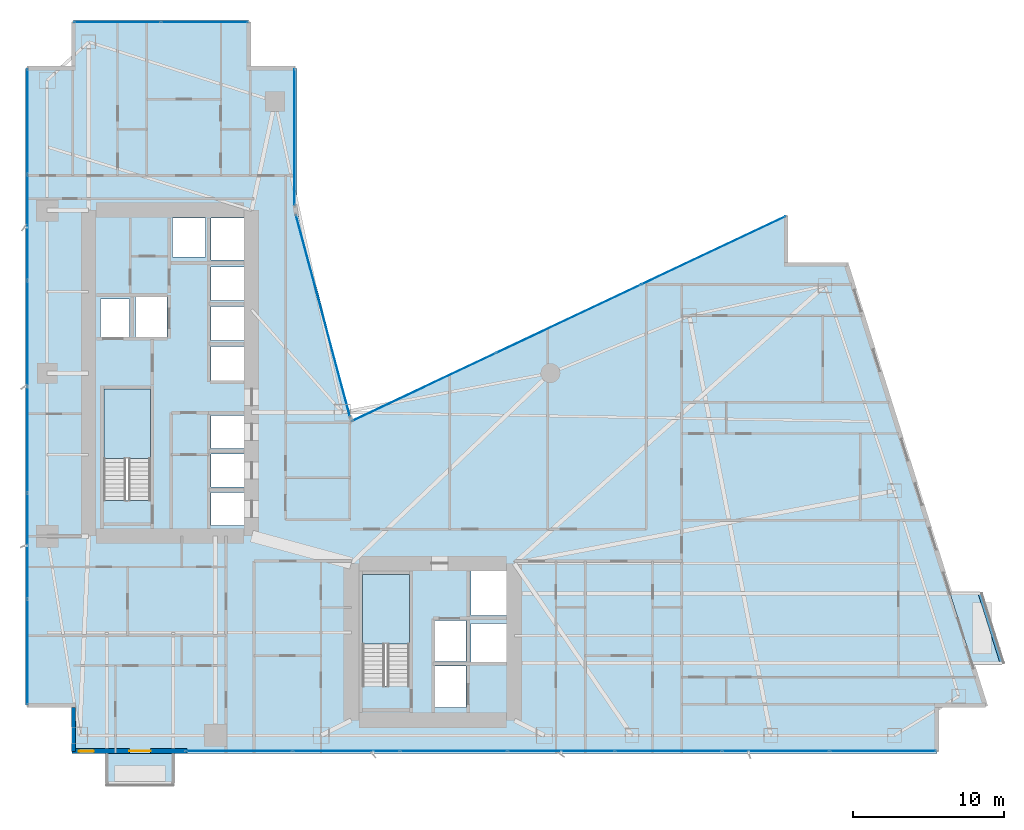
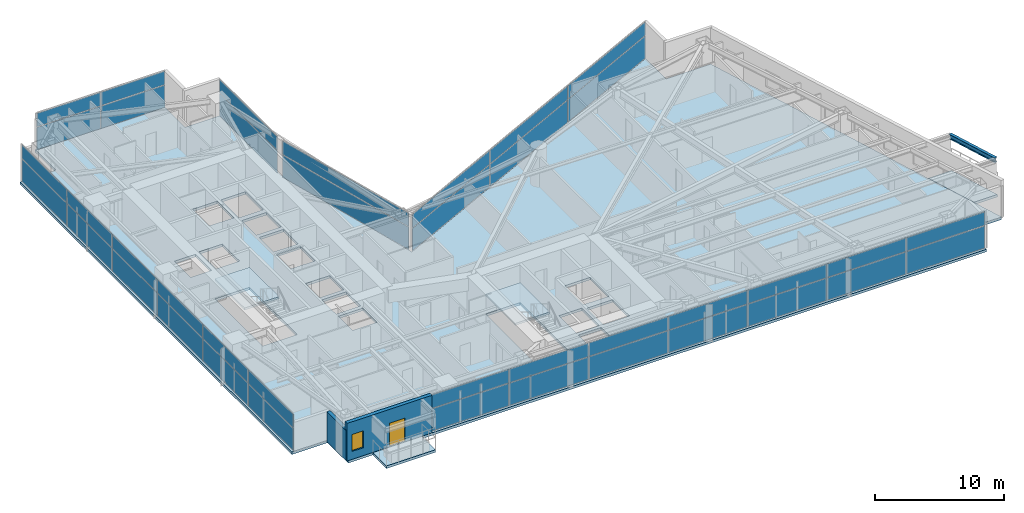
# One storey, part 21 of 30: 40 plates, 5 slabs, 2 walls, 1 beam, 1 door, 1 window, 2 openings, 8 elements without a shape of their own.
"""IFC4 building model written with IfcOpenShell, lengths in metres."""

from ifc_helpers import new_model, si_unit, direction, frame, frame_2d, origin, origin_2d, place, context, subcontext, project, spatial, polyline, rectangle, i_section, outline, extrude, material, layer, layer_set, material_profile, profile_set, type_object, element, fill, aggregate, save


model = new_model("IFC4")

# Units and contexts
model_context = context("Model", 3, precision=1e-05, world=origin(), true_north=direction((0.0, 1.0)))
body_context = subcontext(model_context, "Body", "Model", "MODEL_VIEW")
ifc_project = project(units=[si_unit("LENGTHUNIT", "METRE"), si_unit("AREAUNIT", "SQUARE_METRE"), si_unit("VOLUMEUNIT", "CUBIC_METRE"), si_unit("PLANEANGLEUNIT", "RADIAN"), si_unit("MASSUNIT", "GRAM", prefix="KILO")], contexts=[model_context])

# Site, building, storey
site_placement = place(None, origin())
site = spatial("IfcSite", under=ifc_project, at=site_placement, CompositionType="ELEMENT")
building_placement = place(site_placement, origin())
building = spatial("IfcBuilding", under=site, at=building_placement, Name="Calvorn Quay Hotel", CompositionType="ELEMENT")
storey_placement = place(building_placement, frame((0.0, 0.0, 73.60009765625)))
storey = spatial("IfcBuildingStorey", under=building, at=storey_placement, Name="L17", CompositionType="ELEMENT", Elevation=73.60009765625)

# Beam
ifc_material_1 = material(Name="Steel Q355B", Category="steel")
ifc_material_profile = material_profile(ifc_material_1, i_section(OverallWidth=0.25, OverallDepth=0.449951171875, WebThickness=0.011962890625, FlangeThickness=0.01611328125, FilletRadius=0.01611328125, at=origin_2d()), Name="HN450x250x12x16")
ifc_profile_set = profile_set([ifc_material_profile], Name="Steel Q355B")
beam_type = type_object("IfcBeamType", Name="BM-CANT-BALC", PredefinedType="BEAM", material=ifc_profile_set)
beam_placement = place(storey_placement, frame((64.7080078125, 8.39990234375, 3.31494140625), z_axis=(-0.300620172346, 0.953743944662, 0.0), x_axis=(-0.953743944662, -0.300620172346, 0.0)))
element("IfcBeam", 1, at=beam_placement, inside=storey, type_object=beam_type, Name="Beam BCBO-L18-1", PredefinedType="BEAM", context=body_context, shape_type="SweptSolid", body=[
    extrude(i_section(OverallWidth=0.25, OverallDepth=0.449951171875, WebThickness=0.011962890625, FlangeThickness=0.01611328125, FilletRadius=0.01611328125, at=origin_2d()), origin(), (0.0, 0.0, 1.0), 4.8232421875),
])

# Curtain wall, plates
ifc_material_2 = material(Name="Pale Anodised Aluminium and Low-E Glass", Category="aluminium")
ifc_layer_1 = layer(ifc_material_2, 0.219970703125)
ifc_layer_set_1 = layer_set([ifc_layer_1], Name="CW-SYS-Z1")
curtain_wall_type = type_object("IfcCurtainWallType", Name="CW-SYS-Z1", PredefinedType="NOTDEFINED", material=ifc_layer_set_1)
curtain_wall_1_placement = place(storey_placement, origin())
curtain_wall_1 = element("IfcCurtainWall", 2, at=curtain_wall_1_placement, inside=storey, type_object=curtain_wall_type, Name="Tower West Curtain Wall (L17)", PredefinedType="NOTDEFINED")
ifc_material_3 = material(Name="Low-E Laminated Double Glazing", Category="glass")
ifc_layer_2 = layer(ifc_material_3, 0.028076171875)
ifc_layer_set_2 = layer_set([ifc_layer_2], Name="CW-SYS-Z1-PAN")
plate_type = type_object("IfcPlateType", Name="CW-SYS-Z1-PAN", PredefinedType="CURTAIN_PANEL", material=ifc_layer_set_2)
plate_1_placement = place(storey_placement, frame((0.14990234375, 9.131591796875, 0.06005859375), z_axis=(0.0, 0.0, 1.0), x_axis=(0.0, 1.0, 0.0)))
plate_1 = element("IfcPlate", 3, at=plate_1_placement, type_object=plate_type, Name="CW-L17-W panel 1.1", PredefinedType="CURTAIN_PANEL", context=body_context, shape_type="SweptSolid", body=[
    extrude(rectangle(XDim=6.943359375, YDim=0.028076171875, at=origin_2d()), origin(), (0.0, 0.0, 1.0), 2.110107421875),
])
plate_2_placement = place(storey_placement, frame((0.14990234375, 9.131591796875, 2.22998046875), z_axis=(0.0, 0.0, 1.0), x_axis=(0.0, 1.0, 0.0)))
plate_2 = element("IfcPlate", 4, at=plate_2_placement, type_object=plate_type, Name="CW-L17-W panel 1.2", PredefinedType="CURTAIN_PANEL", context=body_context, shape_type="SweptSolid", body=[
    extrude(rectangle(XDim=6.943359375, YDim=0.028076171875, at=origin_2d()), origin(), (0.0, 0.0, 1.0), 1.27001953125),
])
plate_3_placement = place(storey_placement, frame((0.14990234375, 16.14990234375, 0.06005859375), z_axis=(0.0, 0.0, 1.0), x_axis=(0.0, 1.0, 0.0)))
plate_3 = element("IfcPlate", 5, at=plate_3_placement, type_object=plate_type, Name="CW-L17-W panel 2.1", PredefinedType="CURTAIN_PANEL", context=body_context, shape_type="SweptSolid", body=[
    extrude(rectangle(XDim=6.973388671875, YDim=0.028076171875, at=origin_2d()), origin(), (0.0, 0.0, 1.0), 2.110107421875),
])
plate_4_placement = place(storey_placement, frame((0.14990234375, 16.14990234375, 2.22998046875), z_axis=(0.0, 0.0, 1.0), x_axis=(0.0, 1.0, 0.0)))
plate_4 = element("IfcPlate", 6, at=plate_4_placement, type_object=plate_type, Name="CW-L17-W panel 2.2", PredefinedType="CURTAIN_PANEL", context=body_context, shape_type="SweptSolid", body=[
    extrude(rectangle(XDim=6.973388671875, YDim=0.028076171875, at=origin_2d()), origin(), (0.0, 0.0, 1.0), 1.27001953125),
])
plate_5_placement = place(storey_placement, frame((0.14990234375, 23.183349609375, 0.06005859375), z_axis=(0.0, 0.0, 1.0), x_axis=(0.0, 1.0, 0.0)))
plate_5 = element("IfcPlate", 7, at=plate_5_placement, type_object=plate_type, Name="CW-L17-W panel 3.1", PredefinedType="CURTAIN_PANEL", context=body_context, shape_type="SweptSolid", body=[
    extrude(rectangle(XDim=6.973388671875, YDim=0.028076171875, at=origin_2d()), origin(), (0.0, 0.0, 1.0), 2.110107421875),
])
plate_6_placement = place(storey_placement, frame((0.14990234375, 23.183349609375, 2.22998046875), z_axis=(0.0, 0.0, 1.0), x_axis=(0.0, 1.0, 0.0)))
plate_6 = element("IfcPlate", 8, at=plate_6_placement, type_object=plate_type, Name="CW-L17-W panel 3.2", PredefinedType="CURTAIN_PANEL", context=body_context, shape_type="SweptSolid", body=[
    extrude(rectangle(XDim=6.973388671875, YDim=0.028076171875, at=origin_2d()), origin(), (0.0, 0.0, 1.0), 1.27001953125),
])
plate_7_placement = place(storey_placement, frame((0.14990234375, 30.216552734375, 0.06005859375), z_axis=(0.0, 0.0, 1.0), x_axis=(0.0, 1.0, 0.0)))
plate_7 = element("IfcPlate", 9, at=plate_7_placement, type_object=plate_type, Name="CW-L17-W panel 4.1", PredefinedType="CURTAIN_PANEL", context=body_context, shape_type="SweptSolid", body=[
    extrude(rectangle(XDim=6.973388671875, YDim=0.028076171875, at=origin_2d()), origin(), (0.0, 0.0, 1.0), 2.110107421875),
])
plate_8_placement = place(storey_placement, frame((0.14990234375, 30.216552734375, 2.22998046875), z_axis=(0.0, 0.0, 1.0), x_axis=(0.0, 1.0, 0.0)))
plate_8 = element("IfcPlate", 10, at=plate_8_placement, type_object=plate_type, Name="CW-L17-W panel 4.2", PredefinedType="CURTAIN_PANEL", context=body_context, shape_type="SweptSolid", body=[
    extrude(rectangle(XDim=6.973388671875, YDim=0.028076171875, at=origin_2d()), origin(), (0.0, 0.0, 1.0), 1.27001953125),
])
plate_9_placement = place(storey_placement, frame((0.14990234375, 37.25, 0.06005859375), z_axis=(0.0, 0.0, 1.0), x_axis=(0.0, 1.0, 0.0)))
plate_9 = element("IfcPlate", 11, at=plate_9_placement, type_object=plate_type, Name="CW-L17-W panel 5.1", PredefinedType="CURTAIN_PANEL", context=body_context, shape_type="SweptSolid", body=[
    extrude(rectangle(XDim=6.973388671875, YDim=0.028076171875, at=origin_2d()), origin(), (0.0, 0.0, 1.0), 2.110107421875),
])
plate_10_placement = place(storey_placement, frame((0.14990234375, 37.25, 2.22998046875), z_axis=(0.0, 0.0, 1.0), x_axis=(0.0, 1.0, 0.0)))
plate_10 = element("IfcPlate", 12, at=plate_10_placement, type_object=plate_type, Name="CW-L17-W panel 5.2", PredefinedType="CURTAIN_PANEL", context=body_context, shape_type="SweptSolid", body=[
    extrude(rectangle(XDim=6.973388671875, YDim=0.028076171875, at=origin_2d()), origin(), (0.0, 0.0, 1.0), 1.27001953125),
])
plate_11_placement = place(storey_placement, frame((0.14990234375, 44.268310546875, 0.06005859375), z_axis=(0.0, 0.0, 1.0), x_axis=(0.0, 1.0, 0.0)))
plate_11 = element("IfcPlate", 13, at=plate_11_placement, type_object=plate_type, Name="CW-L17-W panel 6.1", PredefinedType="CURTAIN_PANEL", context=body_context, shape_type="SweptSolid", body=[
    extrude(rectangle(XDim=6.943359375, YDim=0.028076171875, at=origin_2d()), origin(), (0.0, 0.0, 1.0), 2.110107421875),
])
plate_12_placement = place(storey_placement, frame((0.14990234375, 44.268310546875, 2.22998046875), z_axis=(0.0, 0.0, 1.0), x_axis=(0.0, 1.0, 0.0)))
plate_12 = element("IfcPlate", 14, at=plate_12_placement, type_object=plate_type, Name="CW-L17-W panel 6.2", PredefinedType="CURTAIN_PANEL", context=body_context, shape_type="SweptSolid", body=[
    extrude(rectangle(XDim=6.943359375, YDim=0.028076171875, at=origin_2d()), origin(), (0.0, 0.0, 1.0), 1.27001953125),
])
aggregate(curtain_wall_1, [plate_1, plate_2, plate_3, plate_4, plate_5, plate_6, plate_7, plate_8, plate_9, plate_10, plate_11, plate_12])

curtain_wall_2_placement = place(storey_placement, origin())
curtain_wall_2 = element("IfcCurtainWall", 15, at=curtain_wall_2_placement, inside=storey, type_object=curtain_wall_type, Name="Tower South Waterfront Curtain Wall (L17)", PredefinedType="NOTDEFINED")
plate_13_placement = place(storey_placement, frame((14.172119140625, 2.550048828125, 0.06005859375), z_axis=(0.0, 0.0, 1.0), x_axis=(1.0, 0.0, 0.0)))
plate_13 = element("IfcPlate", 16, at=plate_13_placement, type_object=plate_type, Name="CW-L17-S panel 1.1", PredefinedType="CURTAIN_PANEL", context=body_context, shape_type="SweptSolid", body=[
    extrude(rectangle(XDim=7.024169921875, YDim=0.028076171875, at=origin_2d()), origin(), (0.0, 0.0, 1.0), 2.110107421875),
])
plate_14_placement = place(storey_placement, frame((14.172119140625, 2.550048828125, 2.22998046875), z_axis=(0.0, 0.0, 1.0), x_axis=(1.0, 0.0, 0.0)))
plate_14 = element("IfcPlate", 17, at=plate_14_placement, type_object=plate_type, Name="CW-L17-S panel 1.2", PredefinedType="CURTAIN_PANEL", context=body_context, shape_type="SweptSolid", body=[
    extrude(rectangle(XDim=7.024169921875, YDim=0.028076171875, at=origin_2d()), origin(), (0.0, 0.0, 1.0), 1.27001953125),
])
plate_15_placement = place(storey_placement, frame((21.271484375, 2.550048828125, 0.06005859375), z_axis=(0.0, 0.0, 1.0), x_axis=(1.0, 0.0, 0.0)))
plate_15 = element("IfcPlate", 18, at=plate_15_placement, type_object=plate_type, Name="CW-L17-S panel 2.1", PredefinedType="CURTAIN_PANEL", context=body_context, shape_type="SweptSolid", body=[
    extrude(rectangle(XDim=7.05419921875, YDim=0.028076171875, at=origin_2d()), origin(), (0.0, 0.0, 1.0), 2.110107421875),
])
plate_16_placement = place(storey_placement, frame((21.271484375, 2.550048828125, 2.22998046875), z_axis=(0.0, 0.0, 1.0), x_axis=(1.0, 0.0, 0.0)))
plate_16 = element("IfcPlate", 19, at=plate_16_placement, type_object=plate_type, Name="CW-L17-S panel 2.2", PredefinedType="CURTAIN_PANEL", context=body_context, shape_type="SweptSolid", body=[
    extrude(rectangle(XDim=7.05419921875, YDim=0.028076171875, at=origin_2d()), origin(), (0.0, 0.0, 1.0), 1.27001953125),
])
plate_17_placement = place(storey_placement, frame((28.3857421875, 2.550048828125, 0.06005859375), z_axis=(0.0, 0.0, 1.0), x_axis=(1.0, 0.0, 0.0)))
plate_17 = element("IfcPlate", 20, at=plate_17_placement, type_object=plate_type, Name="CW-L17-S panel 3.1", PredefinedType="CURTAIN_PANEL", context=body_context, shape_type="SweptSolid", body=[
    extrude(rectangle(XDim=7.05419921875, YDim=0.028076171875, at=origin_2d()), origin(), (0.0, 0.0, 1.0), 2.110107421875),
])
plate_18_placement = place(storey_placement, frame((28.3857421875, 2.550048828125, 2.22998046875), z_axis=(0.0, 0.0, 1.0), x_axis=(1.0, 0.0, 0.0)))
plate_18 = element("IfcPlate", 21, at=plate_18_placement, type_object=plate_type, Name="CW-L17-S panel 3.2", PredefinedType="CURTAIN_PANEL", context=body_context, shape_type="SweptSolid", body=[
    extrude(rectangle(XDim=7.05419921875, YDim=0.028076171875, at=origin_2d()), origin(), (0.0, 0.0, 1.0), 1.27001953125),
])
plate_19_placement = place(storey_placement, frame((35.5, 2.550048828125, 0.06005859375), z_axis=(0.0, 0.0, 1.0), x_axis=(1.0, 0.0, 0.0)))
plate_19 = element("IfcPlate", 22, at=plate_19_placement, type_object=plate_type, Name="CW-L17-S panel 4.1", PredefinedType="CURTAIN_PANEL", context=body_context, shape_type="SweptSolid", body=[
    extrude(rectangle(XDim=7.05419921875, YDim=0.028076171875, at=origin_2d()), origin(), (0.0, 0.0, 1.0), 2.110107421875),
])
plate_20_placement = place(storey_placement, frame((35.5, 2.550048828125, 2.22998046875), z_axis=(0.0, 0.0, 1.0), x_axis=(1.0, 0.0, 0.0)))
plate_20 = element("IfcPlate", 23, at=plate_20_placement, type_object=plate_type, Name="CW-L17-S panel 4.2", PredefinedType="CURTAIN_PANEL", context=body_context, shape_type="SweptSolid", body=[
    extrude(rectangle(XDim=7.05419921875, YDim=0.028076171875, at=origin_2d()), origin(), (0.0, 0.0, 1.0), 1.27001953125),
])
plate_21_placement = place(storey_placement, frame((42.6142578125, 2.550048828125, 0.06005859375), z_axis=(0.0, 0.0, 1.0), x_axis=(1.0, 0.0, 0.0)))
plate_21 = element("IfcPlate", 24, at=plate_21_placement, type_object=plate_type, Name="CW-L17-S panel 5.1", PredefinedType="CURTAIN_PANEL", context=body_context, shape_type="SweptSolid", body=[
    extrude(rectangle(XDim=7.05419921875, YDim=0.028076171875, at=origin_2d()), origin(), (0.0, 0.0, 1.0), 2.110107421875),
])
plate_22_placement = place(storey_placement, frame((42.6142578125, 2.550048828125, 2.22998046875), z_axis=(0.0, 0.0, 1.0), x_axis=(1.0, 0.0, 0.0)))
plate_22 = element("IfcPlate", 25, at=plate_22_placement, type_object=plate_type, Name="CW-L17-S panel 5.2", PredefinedType="CURTAIN_PANEL", context=body_context, shape_type="SweptSolid", body=[
    extrude(rectangle(XDim=7.05419921875, YDim=0.028076171875, at=origin_2d()), origin(), (0.0, 0.0, 1.0), 1.27001953125),
])
plate_23_placement = place(storey_placement, frame((49.728515625, 2.550048828125, 0.06005859375), z_axis=(0.0, 0.0, 1.0), x_axis=(1.0, 0.0, 0.0)))
plate_23 = element("IfcPlate", 26, at=plate_23_placement, type_object=plate_type, Name="CW-L17-S panel 6.1", PredefinedType="CURTAIN_PANEL", context=body_context, shape_type="SweptSolid", body=[
    extrude(rectangle(XDim=7.05419921875, YDim=0.028076171875, at=origin_2d()), origin(), (0.0, 0.0, 1.0), 2.110107421875),
])
plate_24_placement = place(storey_placement, frame((49.728515625, 2.550048828125, 2.22998046875), z_axis=(0.0, 0.0, 1.0), x_axis=(1.0, 0.0, 0.0)))
plate_24 = element("IfcPlate", 27, at=plate_24_placement, type_object=plate_type, Name="CW-L17-S panel 6.2", PredefinedType="CURTAIN_PANEL", context=body_context, shape_type="SweptSolid", body=[
    extrude(rectangle(XDim=7.05419921875, YDim=0.028076171875, at=origin_2d()), origin(), (0.0, 0.0, 1.0), 1.27001953125),
])
plate_25_placement = place(storey_placement, frame((56.827880859375, 2.550048828125, 0.06005859375), z_axis=(0.0, 0.0, 1.0), x_axis=(1.0, 0.0, 0.0)))
plate_25 = element("IfcPlate", 28, at=plate_25_placement, type_object=plate_type, Name="CW-L17-S panel 7.1", PredefinedType="CURTAIN_PANEL", context=body_context, shape_type="SweptSolid", body=[
    extrude(rectangle(XDim=7.024169921875, YDim=0.028076171875, at=origin_2d()), origin(), (0.0, 0.0, 1.0), 2.110107421875),
])
plate_26_placement = place(storey_placement, frame((56.827880859375, 2.550048828125, 2.22998046875), z_axis=(0.0, 0.0, 1.0), x_axis=(1.0, 0.0, 0.0)))
plate_26 = element("IfcPlate", 29, at=plate_26_placement, type_object=plate_type, Name="CW-L17-S panel 7.2", PredefinedType="CURTAIN_PANEL", context=body_context, shape_type="SweptSolid", body=[
    extrude(rectangle(XDim=7.024169921875, YDim=0.028076171875, at=origin_2d()), origin(), (0.0, 0.0, 1.0), 1.27001953125),
])
aggregate(curtain_wall_2, [plate_13, plate_14, plate_15, plate_16, plate_17, plate_18, plate_19, plate_20, plate_21, plate_22, plate_23, plate_24, plate_25, plate_26])

curtain_wall_3_placement = place(storey_placement, origin())
curtain_wall_3 = element("IfcCurtainWall", 30, at=curtain_wall_3_placement, inside=storey, type_object=curtain_wall_type, Name="Inner Court Curtain Wall L17-NE1", PredefinedType="NOTDEFINED")
plate_27_placement = place(storey_placement, frame((45.58642578125, 35.726806640625, 0.06005859375), z_axis=(0.0, 0.0, 1.0), x_axis=(-0.904248646743, -0.427006305415, 0.0)))
plate_27 = element("IfcPlate", 31, at=plate_27_placement, type_object=plate_type, Name="CW-L17-NE1 panel 1.1", PredefinedType="CURTAIN_PANEL", context=body_context, shape_type="SweptSolid", body=[
    extrude(rectangle(XDim=10.526611328125, YDim=0.028076171875, at=origin_2d()), origin(), (0.0, 0.0, 1.0), 2.110107421875),
])
plate_28_placement = place(storey_placement, frame((45.58642578125, 35.726806640625, 2.22998046875), z_axis=(0.0, 0.0, 1.0), x_axis=(-0.904248646743, -0.427006305415, 0.0)))
plate_28 = element("IfcPlate", 32, at=plate_28_placement, type_object=plate_type, Name="CW-L17-NE1 panel 1.2", PredefinedType="CURTAIN_PANEL", context=body_context, shape_type="SweptSolid", body=[
    extrude(rectangle(XDim=10.526611328125, YDim=0.028076171875, at=origin_2d()), origin(), (0.0, 0.0, 1.0), 1.27001953125),
])
plate_29_placement = place(storey_placement, frame((36.0, 31.199951171875, 0.06005859375), z_axis=(0.0, 0.0, 1.0), x_axis=(-0.904248646743, -0.427006305415, 0.0)))
plate_29 = element("IfcPlate", 33, at=plate_29_placement, type_object=plate_type, Name="CW-L17-NE1 panel 2.1", PredefinedType="CURTAIN_PANEL", context=body_context, shape_type="SweptSolid", body=[
    extrude(rectangle(XDim=10.556640625, YDim=0.028076171875, at=origin_2d()), origin(), (0.0, 0.0, 1.0), 2.110107421875),
])
plate_30_placement = place(storey_placement, frame((36.0, 31.199951171875, 2.22998046875), z_axis=(0.0, 0.0, 1.0), x_axis=(-0.904248646743, -0.427006305415, 0.0)))
plate_30 = element("IfcPlate", 34, at=plate_30_placement, type_object=plate_type, Name="CW-L17-NE1 panel 2.2", PredefinedType="CURTAIN_PANEL", context=body_context, shape_type="SweptSolid", body=[
    extrude(rectangle(XDim=10.556640625, YDim=0.028076171875, at=origin_2d()), origin(), (0.0, 0.0, 1.0), 1.27001953125),
])
plate_31_placement = place(storey_placement, frame((26.41357421875, 26.673095703125, 0.06005859375), z_axis=(0.0, 0.0, 1.0), x_axis=(-0.904248646743, -0.427006305415, 0.0)))
plate_31 = element("IfcPlate", 35, at=plate_31_placement, type_object=plate_type, Name="CW-L17-NE1 panel 3.1", PredefinedType="CURTAIN_PANEL", context=body_context, shape_type="SweptSolid", body=[
    extrude(rectangle(XDim=10.526611328125, YDim=0.028076171875, at=origin_2d()), origin(), (0.0, 0.0, 1.0), 2.110107421875),
])
plate_32_placement = place(storey_placement, frame((26.41357421875, 26.673095703125, 2.22998046875), z_axis=(0.0, 0.0, 1.0), x_axis=(-0.904248646743, -0.427006305415, 0.0)))
plate_32 = element("IfcPlate", 36, at=plate_32_placement, type_object=plate_type, Name="CW-L17-NE1 panel 3.2", PredefinedType="CURTAIN_PANEL", context=body_context, shape_type="SweptSolid", body=[
    extrude(rectangle(XDim=10.526611328125, YDim=0.028076171875, at=origin_2d()), origin(), (0.0, 0.0, 1.0), 1.27001953125),
])
aggregate(curtain_wall_3, [plate_27, plate_28, plate_29, plate_30, plate_31, plate_32])

curtain_wall_4_placement = place(storey_placement, origin())
curtain_wall_4 = element("IfcCurtainWall", 37, at=curtain_wall_4_placement, inside=storey, type_object=curtain_wall_type, Name="Inner Court Curtain Wall L17-IC1", PredefinedType="NOTDEFINED")
plate_33_placement = place(storey_placement, frame((19.72509765625, 31.39990234375, 0.06005859375), z_axis=(0.0, 0.0, 1.0), x_axis=(-0.25877913024, 0.96593652056, 0.0)))
plate_33 = element("IfcPlate", 38, at=plate_33_placement, type_object=plate_type, Name="CW-L17-IC1 panel 1.1", PredefinedType="CURTAIN_PANEL", context=body_context, shape_type="SweptSolid", body=[
    extrude(rectangle(XDim=13.814697265625, YDim=0.028076171875, at=origin_2d()), origin(), (0.0, 0.0, 1.0), 2.110107421875),
])
plate_34_placement = place(storey_placement, frame((19.72509765625, 31.39990234375, 2.22998046875), z_axis=(0.0, 0.0, 1.0), x_axis=(-0.25877913024, 0.96593652056, 0.0)))
plate_34 = element("IfcPlate", 39, at=plate_34_placement, type_object=plate_type, Name="CW-L17-IC1 panel 1.2", PredefinedType="CURTAIN_PANEL", context=body_context, shape_type="SweptSolid", body=[
    extrude(rectangle(XDim=13.814697265625, YDim=0.028076171875, at=origin_2d()), origin(), (0.0, 0.0, 1.0), 1.27001953125),
])
aggregate(curtain_wall_4, [plate_33, plate_34])

curtain_wall_5_placement = place(storey_placement, origin())
curtain_wall_5 = element("IfcCurtainWall", 40, at=curtain_wall_5_placement, inside=storey, type_object=curtain_wall_type, Name="Inner Court Curtain Wall L17-IC2", PredefinedType="NOTDEFINED")
plate_35_placement = place(storey_placement, frame((17.85009765625, 43.239990234375, 0.06005859375), z_axis=(0.0, 0.0, 1.0), x_axis=(0.0, 1.0, 0.0)))
plate_35 = element("IfcPlate", 41, at=plate_35_placement, type_object=plate_type, Name="CW-L17-IC2 panel 1.1", PredefinedType="CURTAIN_PANEL", context=body_context, shape_type="SweptSolid", body=[
    extrude(rectangle(XDim=9.0, YDim=0.028076171875, at=origin_2d()), origin(), (0.0, 0.0, 1.0), 2.110107421875),
])
plate_36_placement = place(storey_placement, frame((17.85009765625, 43.239990234375, 2.22998046875), z_axis=(0.0, 0.0, 1.0), x_axis=(0.0, 1.0, 0.0)))
plate_36 = element("IfcPlate", 42, at=plate_36_placement, type_object=plate_type, Name="CW-L17-IC2 panel 1.2", PredefinedType="CURTAIN_PANEL", context=body_context, shape_type="SweptSolid", body=[
    extrude(rectangle(XDim=9.0, YDim=0.028076171875, at=origin_2d()), origin(), (0.0, 0.0, 1.0), 1.27001953125),
])
aggregate(curtain_wall_5, [plate_35, plate_36])

curtain_wall_6_placement = place(storey_placement, origin())
curtain_wall_6 = element("IfcCurtainWall", 43, at=curtain_wall_6_placement, inside=storey, type_object=curtain_wall_type, Name="Inner Court Curtain Wall L17-N1", PredefinedType="NOTDEFINED")
plate_37_placement = place(storey_placement, frame((11.885009765625, 50.85009765625, 0.06005859375), z_axis=(0.0, 0.0, 1.0), x_axis=(-1.0, 0.0, 0.0)))
plate_37 = element("IfcPlate", 44, at=plate_37_placement, type_object=plate_type, Name="CW-L17-N1 panel 1.1", PredefinedType="CURTAIN_PANEL", context=body_context, shape_type="SweptSolid", body=[
    extrude(rectangle(XDim=5.7099609375, YDim=0.028076171875, at=origin_2d()), origin(), (0.0, 0.0, 1.0), 2.110107421875),
])
plate_38_placement = place(storey_placement, frame((11.885009765625, 50.85009765625, 2.22998046875), z_axis=(0.0, 0.0, 1.0), x_axis=(-1.0, 0.0, 0.0)))
plate_38 = element("IfcPlate", 45, at=plate_38_placement, type_object=plate_type, Name="CW-L17-N1 panel 1.2", PredefinedType="CURTAIN_PANEL", context=body_context, shape_type="SweptSolid", body=[
    extrude(rectangle(XDim=5.7099609375, YDim=0.028076171875, at=origin_2d()), origin(), (0.0, 0.0, 1.0), 1.27001953125),
])
plate_39_placement = place(storey_placement, frame((6.114990234375, 50.85009765625, 0.06005859375), z_axis=(0.0, 0.0, 1.0), x_axis=(-1.0, 0.0, 0.0)))
plate_39 = element("IfcPlate", 46, at=plate_39_placement, type_object=plate_type, Name="CW-L17-N1 panel 2.1", PredefinedType="CURTAIN_PANEL", context=body_context, shape_type="SweptSolid", body=[
    extrude(rectangle(XDim=5.7099609375, YDim=0.028076171875, at=origin_2d()), origin(), (0.0, 0.0, 1.0), 2.110107421875),
])
plate_40_placement = place(storey_placement, frame((6.114990234375, 50.85009765625, 2.22998046875), z_axis=(0.0, 0.0, 1.0), x_axis=(-1.0, 0.0, 0.0)))
plate_40 = element("IfcPlate", 47, at=plate_40_placement, type_object=plate_type, Name="CW-L17-N1 panel 2.2", PredefinedType="CURTAIN_PANEL", context=body_context, shape_type="SweptSolid", body=[
    extrude(rectangle(XDim=5.7099609375, YDim=0.028076171875, at=origin_2d()), origin(), (0.0, 0.0, 1.0), 1.27001953125),
])
aggregate(curtain_wall_6, [plate_37, plate_38, plate_39, plate_40])

# Slabs
ifc_material_4 = material(Name="Concrete C40", Category="concrete")
ifc_layer_3 = layer(ifc_material_4, 0.239990234375)
ifc_layer_set_3 = layer_set([ifc_layer_3], Name="SLB-BALCONY-220")
slab_type_1 = type_object("IfcSlabType", Name="SLB-BALCONY-220", PredefinedType="FLOOR", material=ifc_layer_set_3)
slab_1_placement = place(storey_placement, frame((0.0, 0.0, -0.239990234375)))
element("IfcSlab", 48, at=slab_1_placement, inside=storey, type_object=slab_type_1, Name="Tree Balcony Slab L17-BALC-E", PredefinedType="FLOOR", context=body_context, shape_type="SweptSolid", body=[
    extrude(outline(polyline([(62.72802734375, 8.39990234375), (64.827880859375, 8.39990234375), (63.3779296875, 13.0), (61.278076171875, 13.0), (62.72802734375, 8.39990234375)])), origin(), (0.0, 0.0, 1.0), 0.239990234375),
])
slab_2_placement = place(storey_placement, frame((0.0, 0.0, -0.239990234375)))
element("IfcSlab", 49, at=slab_2_placement, inside=storey, type_object=slab_type_1, Name="Tree Balcony Slab L17-BALC-S", PredefinedType="FLOOR", context=body_context, shape_type="SweptSolid", body=[
    extrude(outline(polyline([(5.39990234375, 0.2900390625), (9.800048828125, 0.2900390625), (9.800048828125, 2.389892578125), (5.39990234375, 2.389892578125), (5.39990234375, 0.2900390625)])), origin(), (0.0, 0.0, 1.0), 0.239990234375),
])

# Stair, slab
ifc_material_5 = material(Name="Concrete C40", Category="concrete")
stair_type = type_object("IfcStairType", Name="STR-CORE-DOGLEG", PredefinedType="HALF_TURN_STAIR", material=ifc_material_5)
stair_1_placement = place(storey_placement, origin())
stair_1 = element("IfcStair", 50, at=stair_1_placement, inside=storey, type_object=stair_type, Name="L17 ST-W", PredefinedType="HALF_TURN_STAIR")
ifc_material_6 = material(Name="Concrete C40", Category="concrete")
ifc_layer_4 = layer(ifc_material_6, 0.199951171875)
ifc_layer_set_4 = layer_set([ifc_layer_4], Name="SLB-STAIR-LANDING-200")
slab_type_2 = type_object("IfcSlabType", Name="SLB-STAIR-LANDING-200", PredefinedType="LANDING", material=ifc_layer_set_4)
slab_3_placement = place(storey_placement, frame((0.0, 0.0, 1.699951171875)))
slab_3 = element("IfcSlab", 51, at=slab_3_placement, type_object=slab_type_2, Name="ST-W landing 1", PredefinedType="LANDING", context=body_context, shape_type="SweptSolid", body=[
    extrude(outline(polyline([(8.300048828125, 21.949951171875), (8.300048828125, 26.550048828125), (5.199951171875, 26.550048828125), (5.199951171875, 21.949951171875), (8.300048828125, 21.949951171875)])), origin(), (0.0, 0.0, 1.0), 0.199951171875),
])
aggregate(stair_1, [slab_3])

stair_2_placement = place(storey_placement, origin())
stair_2 = element("IfcStair", 52, at=stair_2_placement, inside=storey, type_object=stair_type, Name="L17 ST-E", PredefinedType="HALF_TURN_STAIR")
slab_4_placement = place(storey_placement, frame((0.0, 0.0, 1.699951171875)))
slab_4 = element("IfcSlab", 53, at=slab_4_placement, type_object=slab_type_2, Name="ST-E landing 1", PredefinedType="LANDING", context=body_context, shape_type="SweptSolid", body=[
    extrude(outline(polyline([(25.449951171875, 9.64990234375), (25.449951171875, 14.25), (22.35009765625, 14.25), (22.35009765625, 9.64990234375), (25.449951171875, 9.64990234375)])), origin(), (0.0, 0.0, 1.0), 0.199951171875),
])
aggregate(stair_2, [slab_4])

# Slab
ifc_material_7 = material(Name="Concrete C40", Category="concrete")
ifc_layer_5 = layer(ifc_material_7, 0.239990234375)
ifc_layer_set_5 = layer_set([ifc_layer_5], Name="SLB-TOWER-240")
slab_type_3 = type_object("IfcSlabType", Name="SLB-TOWER-240", PredefinedType="FLOOR", material=ifc_layer_set_5)
slab_5_placement = place(storey_placement, frame((0.0, 0.0, -0.239990234375)))
element("IfcSlab", 54, at=slab_5_placement, inside=storey, type_object=slab_type_3, Name="L17 Structural Floor Slab", PredefinedType="FLOOR", context=body_context, shape_type="SweptSolid", body=[
    extrude(outline(polyline([(0.0, 5.60009765625), (3.199951171875, 5.60009765625), (3.199951171875, 2.39990234375), (60.39990234375, 2.39990234375), (60.39990234375, 5.60009765625), (63.60009765625, 5.60009765625), (54.39990234375, 34.800048828125), (50.39990234375, 34.800048828125), (50.39990234375, 38.0), (21.60009765625, 24.39990234375), (18.0, 38.39990234375), (18.0, 47.800048828125), (14.800048828125, 47.800048828125), (14.800048828125, 51.0), (3.199951171875, 51.0), (3.199951171875, 47.800048828125), (0.0, 47.800048828125), (0.0, 5.60009765625)]), holes=[polyline([(5.199951171875, 19.156005859375), (8.300048828125, 19.156005859375), (8.300048828125, 26.550048828125), (5.199951171875, 26.550048828125), (5.199951171875, 19.156005859375)]), polyline([(22.35009765625, 6.85595703125), (25.449951171875, 6.85595703125), (25.449951171875, 14.25), (22.35009765625, 14.25), (22.35009765625, 6.85595703125)]), polyline([(5.0, 30.0), (6.89990234375, 30.0), (6.89990234375, 32.5), (5.0, 32.5), (5.0, 30.0)]), polyline([(7.300048828125, 30.0), (9.39990234375, 30.0), (9.39990234375, 32.64990234375), (7.300048828125, 32.64990234375), (7.300048828125, 30.0)]), polyline([(27.159912109375, 8.5), (29.2099609375, 8.5), (29.2099609375, 11.199951171875), (27.159912109375, 11.199951171875), (27.159912109375, 8.5)]), polyline([(27.159912109375, 5.449951171875), (29.2099609375, 5.449951171875), (29.2099609375, 8.199951171875), (27.159912109375, 8.199951171875), (27.159912109375, 5.449951171875)]), polyline([(12.300048828125, 17.5), (14.489990234375, 17.5), (14.489990234375, 19.699951171875), (12.300048828125, 19.699951171875), (12.300048828125, 17.5)]), polyline([(12.300048828125, 20.050048828125), (14.489990234375, 20.050048828125), (14.489990234375, 22.25), (12.300048828125, 22.25), (12.300048828125, 20.050048828125)]), polyline([(12.300048828125, 22.60009765625), (14.489990234375, 22.60009765625), (14.489990234375, 24.800048828125), (12.300048828125, 24.800048828125), (12.300048828125, 22.60009765625)]), polyline([(12.300048828125, 27.10009765625), (14.489990234375, 27.10009765625), (14.489990234375, 29.35009765625), (12.300048828125, 29.35009765625), (12.300048828125, 27.10009765625)]), polyline([(12.300048828125, 29.75), (14.489990234375, 29.75), (14.489990234375, 32.0), (12.300048828125, 32.0), (12.300048828125, 29.75)]), polyline([(12.300048828125, 32.39990234375), (14.489990234375, 32.39990234375), (14.489990234375, 34.64990234375), (12.300048828125, 34.64990234375), (12.300048828125, 32.39990234375)]), polyline([(12.300048828125, 35.10009765625), (14.489990234375, 35.10009765625), (14.489990234375, 37.889892578125), (12.300048828125, 37.889892578125), (12.300048828125, 35.10009765625)]), polyline([(9.75, 35.300048828125), (11.949951171875, 35.300048828125), (11.949951171875, 37.889892578125), (9.75, 37.889892578125), (9.75, 35.300048828125)]), polyline([(29.550048828125, 11.550048828125), (31.889892578125, 11.550048828125), (31.889892578125, 14.489990234375), (29.550048828125, 14.489990234375), (29.550048828125, 11.550048828125)]), polyline([(29.550048828125, 8.449951171875), (31.889892578125, 8.449951171875), (31.889892578125, 11.0), (29.550048828125, 11.0), (29.550048828125, 8.449951171875)])]), origin(), (0.0, 0.0, 1.0), 0.239990234375),
])

# Wall, openings, door, window
ifc_material_8 = material(Name="Concrete C40", Category="concrete")
ifc_layer_6 = layer(ifc_material_8, 0.320068359375)
ifc_layer_set_6 = layer_set([ifc_layer_6], Name="WL-EXT-SPANDREL-320")
wall_type = type_object("IfcWallType", Name="WL-EXT-SPANDREL-320", PredefinedType="SOLIDWALL", material=ifc_layer_set_6)
wall_1_placement = place(storey_placement, frame((3.10009765625, 2.56005859375, 0.0), z_axis=(0.0, 0.0, 1.0), x_axis=(1.0, 0.0, 0.0)))
wall_1 = element("IfcWall", 55, at=wall_1_placement, inside=storey, type_object=wall_type, Name="South Balcony Exterior Wall (L17)", PredefinedType="SOLIDWALL", context=body_context, shape_type="SweptSolid", body=[
    extrude(rectangle(XDim=7.599853515625, YDim=0.320068359375, at=frame_2d((3.7998046875, 0.0))), origin(), (0.0, 0.0, 1.0), 3.559814453125),
])
opening_1_placement = place(wall_1_placement, frame((0.449951171875, 0.0, 0.75)))
opening_1 = element("IfcOpeningElement", 56, at=opening_1_placement, cuts=wall_1, Name="Opening WSB-L17-1", PredefinedType="OPENING", context=body_context, shape_type="SweptSolid", body=[
    extrude(rectangle(XDim=1.0, YDim=1.60009765625, at=frame_2d((0.5, 0.800048828125))), frame((0.0, 0.169921875, 0.0), z_axis=(0.0, -1.0, 0.0), x_axis=(1.0, 0.0, 0.0)), (0.0, 0.0, 1.0), 0.340087890625),
])
opening_2_placement = place(wall_1_placement, frame((3.800048828125, 0.0, 0.0)))
opening_2 = element("IfcOpeningElement", 57, at=opening_2_placement, cuts=wall_1, Name="Opening DB-L17-2", PredefinedType="OPENING", context=body_context, shape_type="SweptSolid", body=[
    extrude(rectangle(XDim=1.39990234375, YDim=2.25, at=frame_2d((0.699951171875, 1.125))), frame((0.0, 0.169921875, 0.0), z_axis=(0.0, -1.0, 0.0), x_axis=(1.0, 0.0, 0.0)), (0.0, 0.0, 1.0), 0.340087890625),
])
ifc_material_9 = material(Name="Typhoon-Rated Low-E Aluminium Terrace Door", Category="aluminium")
door_type = type_object("IfcDoorType", Name="DR-BALCONY-GLZ-1400", OperationType="NOTDEFINED", PredefinedType="DOOR", material=ifc_material_9)
door_placement = place(opening_2_placement, origin())
door = element("IfcDoor", 58, at=door_placement, inside=storey, type_object=door_type, Name="Tree Balcony Terrace Door L17-BALC-S", OperationType="SINGLE_SWING_LEFT", OverallHeight=2.25, OverallWidth=1.39990234375, PredefinedType="DOOR", context=body_context, shape_type="SweptSolid", body=[
    extrude(rectangle(XDim=1.39990234375, YDim=2.25, at=frame_2d((0.699951171875, 1.125))), frame((0.0, 0.02490234375, 0.0), z_axis=(0.0, -1.0, 0.0), x_axis=(1.0, 0.0, 0.0)), (0.0, 0.0, 1.0), 0.050048828125),
])
fill(opening_2, door)
ifc_material_10 = material(Name="Self-Closing Class B Side Fire Window")
window_type = type_object("IfcWindowType", Name="WIN-REFUGE-NARROW-1000x1600", PartitioningType="SINGLE_PANEL", PredefinedType="WINDOW", material=ifc_material_10)
window_placement = place(opening_1_placement, origin())
window = element("IfcWindow", 59, at=window_placement, inside=storey, type_object=window_type, Name="South Waterfront Side Window (L17)", OverallHeight=1.60009765625, OverallWidth=1.0, PartitioningType="SINGLE_PANEL", PredefinedType="WINDOW", context=body_context, shape_type="SweptSolid", body=[
    extrude(rectangle(XDim=1.0, YDim=1.60009765625, at=frame_2d((0.5, 0.800048828125))), frame((0.0, 0.030029296875, 0.0), z_axis=(0.0, -1.0, 0.0), x_axis=(1.0, 0.0, 0.0)), (0.0, 0.0, 1.0), 0.06005859375),
])
fill(opening_1, window)

# Wall
wall_2_placement = place(storey_placement, frame((3.199951171875, 5.4599609375, 0.0), z_axis=(0.0, 0.0, 1.0), x_axis=(0.0, -1.0, 0.0)))
element("IfcWall", 60, at=wall_2_placement, inside=storey, type_object=wall_type, Name="Notched Corner Spandrel L17-SW2", PredefinedType="SOLIDWALL", context=body_context, shape_type="SweptSolid", body=[
    extrude(rectangle(XDim=2.93994140625, YDim=0.280029296875, at=frame_2d((1.469970703125, 0.0))), origin(), (0.0, 0.0, 1.0), 2.83984375),
])

save(model, "model.ifc")
